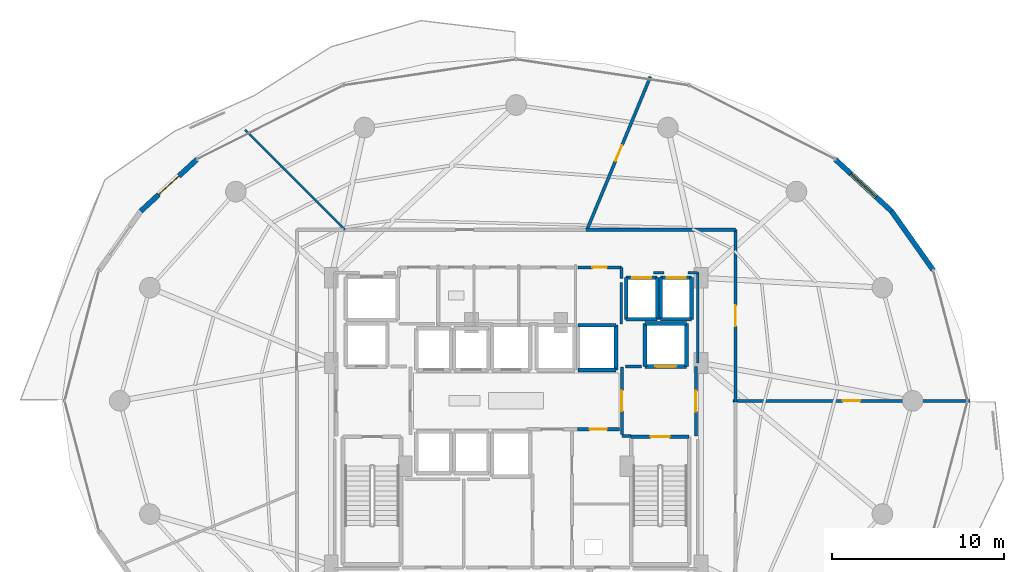
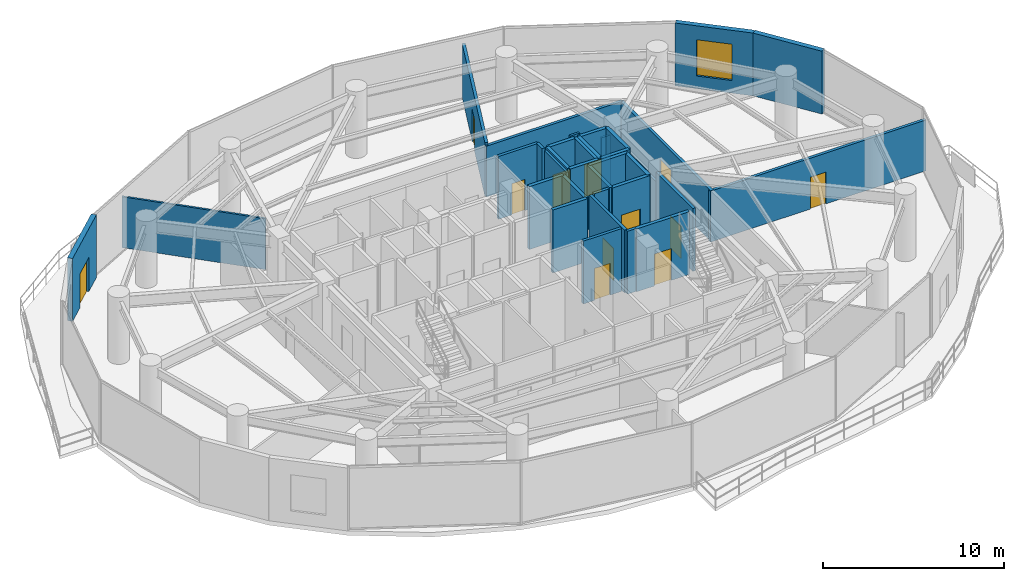
# One storey, part 22 of 27: 35 walls, 12 doors, 1 window, 13 openings.
"""IFC4 building model written with IfcOpenShell, lengths in metres."""

from ifc_helpers import new_model, si_unit, direction, frame, frame_2d, origin, place, context, subcontext, project, spatial, rectangle, extrude, material, layer, layer_set, type_object, element, fill, save


model = new_model("IFC4")

# Units and contexts
model_context = context("Model", 3, precision=1e-05, world=origin(), true_north=direction((0.0, 1.0)))
body_context = subcontext(model_context, "Body", "Model", "MODEL_VIEW")
ifc_project = project(units=[si_unit("LENGTHUNIT", "METRE"), si_unit("AREAUNIT", "SQUARE_METRE"), si_unit("VOLUMEUNIT", "CUBIC_METRE"), si_unit("PLANEANGLEUNIT", "RADIAN"), si_unit("MASSUNIT", "GRAM", prefix="KILO")], contexts=[model_context])

# Site, building, storey
site_placement = place(None, origin())
site = spatial("IfcSite", under=ifc_project, at=site_placement, CompositionType="ELEMENT")
building_placement = place(site_placement, origin())
building = spatial("IfcBuilding", under=site, at=building_placement, Name="Vorneva Point Tower", CompositionType="ELEMENT")
storey_placement = place(building_placement, frame((0.0, 0.0, 74.300048828125)))
storey = spatial("IfcBuildingStorey", under=building, at=storey_placement, Name="L19", CompositionType="ELEMENT", Elevation=74.300048828125)

# Wall, opening, door
ifc_material_1 = material(Name="Concrete B60 (C50/60)", Category="concrete")
ifc_layer_1 = layer(ifc_material_1, 0.5)
ifc_layer_set_1 = layer_set([ifc_layer_1], Name="Concrete B60 (C50/60)")
wall_type_1 = type_object("IfcWallType", Name="WL-CORE-500", PredefinedType="SHEAR", material=ifc_layer_set_1)
wall_1_placement = place(storey_placement, frame((45.5, 28.0, 0.0), z_axis=(0.0, 0.0, 1.0), x_axis=(1.0, 0.0, 0.0)))
wall_1 = element("IfcWall", 1, at=wall_1_placement, inside=storey, type_object=wall_type_1, Name="L19 Lift FFL2 Shaft Wall -Y", PredefinedType="SHEAR", context=body_context, shape_type="SweptSolid", body=[
    extrude(rectangle(XDim=2.39990234375, YDim=0.219970703125, at=frame_2d((1.199951171875, 0.0))), origin(), (0.0, 0.0, 1.0), 4.239990234375),
])
opening_1_placement = place(wall_1_placement, frame((0.60009765625, 0.0, 0.0)))
opening_1 = element("IfcOpeningElement", 2, at=opening_1_placement, cuts=wall_1, Name="Opening LD-02", PredefinedType="OPENING", context=body_context, shape_type="SweptSolid", body=[
    extrude(rectangle(XDim=1.199951171875, YDim=2.199951171875, at=frame_2d((0.60009765625, 1.10009765625))), frame((0.0, 0.125, 0.0), z_axis=(0.0, -1.0, 0.0), x_axis=(1.0, 0.0, 0.0)), (0.0, 0.0, 1.0), 0.249755859375),
])
ifc_material_2 = material(Name="Brushed stainless steel S304", Category="steel")
door_type_1 = type_object("IfcDoorType", Name="LD-FIRE-1200", OperationType="SLIDING_TO_LEFT", PredefinedType="DOOR", material=ifc_material_2)
door_1_placement = place(opening_1_placement, origin())
door_1 = element("IfcDoor", 3, at=door_1_placement, inside=storey, type_object=door_type_1, Name="L19 Lift FFL2 Sliding Landing Door", OperationType="SLIDING_TO_LEFT", OverallHeight=2.199951171875, OverallWidth=1.199951171875, PredefinedType="DOOR", context=body_context, shape_type="SweptSolid", body=[
    extrude(rectangle(XDim=1.199951171875, YDim=2.199951171875, at=frame_2d((0.60009765625, 1.10009765625))), frame((0.0, 0.02490234375, 0.0), z_axis=(0.0, -1.0, 0.0), x_axis=(1.0, 0.0, 0.0)), (0.0, 0.0, 1.0), 0.050048828125),
])
fill(opening_1, door_1)

# Walls
wall_2_placement = place(storey_placement, frame((47.89990234375, 28.0, 0.0), z_axis=(0.0, 0.0, 1.0), x_axis=(0.0, 1.0, 0.0)))
element("IfcWall", 4, at=wall_2_placement, inside=storey, type_object=wall_type_1, Name="L19 Lift FFL2 Shaft Wall +X", PredefinedType="SHEAR", context=body_context, shape_type="SweptSolid", body=[
    extrude(rectangle(XDim=2.5, YDim=0.219970703125, at=frame_2d((1.25, 0.0))), origin(), (0.0, 0.0, 1.0), 4.239990234375),
])
wall_3_placement = place(storey_placement, frame((47.89990234375, 30.5, 0.0), z_axis=(0.0, 0.0, 1.0), x_axis=(-1.0, 0.0, 0.0)))
element("IfcWall", 5, at=wall_3_placement, inside=storey, type_object=wall_type_1, Name="L19 Lift FFL2 Shaft Wall +Y", PredefinedType="SHEAR", context=body_context, shape_type="SweptSolid", body=[
    extrude(rectangle(XDim=2.39990234375, YDim=0.219970703125, at=frame_2d((1.199951171875, 0.0))), origin(), (0.0, 0.0, 1.0), 4.239990234375),
])
wall_4_placement = place(storey_placement, frame((45.5, 30.5, 0.0), z_axis=(0.0, 0.0, 1.0), x_axis=(0.0, -1.0, 0.0)))
element("IfcWall", 6, at=wall_4_placement, inside=storey, type_object=wall_type_1, Name="L19 Lift FFL2 Shaft Wall -X", PredefinedType="SHEAR", context=body_context, shape_type="SweptSolid", body=[
    extrude(rectangle(XDim=2.5, YDim=0.219970703125, at=frame_2d((1.25, 0.0))), origin(), (0.0, 0.0, 1.0), 4.239990234375),
])
ifc_material_3 = material(Name="Precast concrete B50 (C40/50)", Category="concrete")
ifc_layer_2 = layer(ifc_material_3, 0.300048828125)
ifc_layer_set_2 = layer_set([ifc_layer_2], Name="Precast concrete B50 (C40/50)")
wall_type_2 = type_object("IfcWallType", Name="WL-EXT-300", PredefinedType="STANDARD", material=ifc_layer_set_2)
wall_5_placement = place(storey_placement, frame((62.251708984375, 33.59619140625, 0.0), z_axis=(0.0, 0.0, 1.0), x_axis=(-0.57716435238, 0.81662801222, 0.0)))
element("IfcWall", 7, at=wall_5_placement, inside=storey, type_object=wall_type_2, Name="L19 Pale-Metal Facade Spandrel Wall 02.1", PredefinedType="STANDARD", context=body_context, shape_type="SweptSolid", body=[
    extrude(rectangle(XDim=4.202392578125, YDim=0.300048828125, at=frame_2d((2.10107421875, 0.0))), origin(), (0.0, 0.0, 1.0), 4.239990234375),
])

# Wall, opening, window
wall_6_placement = place(storey_placement, frame((59.826171875, 37.028076171875, 0.0), z_axis=(0.0, 0.0, 1.0), x_axis=(-0.735416718093, 0.677615119924, 0.0)))
wall_6 = element("IfcWall", 8, at=wall_6_placement, inside=storey, type_object=wall_type_2, Name="L19 Pale-Metal Facade Spandrel Wall 02.2", PredefinedType="STANDARD", context=body_context, shape_type="SweptSolid", body=[
    extrude(rectangle(XDim=4.439208984375, YDim=0.300048828125, at=frame_2d((2.2197265625, 0.0))), origin(), (0.0, 0.0, 1.0), 4.239990234375),
])
opening_2_placement = place(wall_6_placement, frame((1.219482421875, 0.0, 0.85009765625)))
opening_2 = element("IfcOpeningElement", 9, at=opening_2_placement, cuts=wall_6, Name="Opening W-07", PredefinedType="OPENING", context=body_context, shape_type="SweptSolid", body=[
    extrude(rectangle(XDim=2.0, YDim=2.449951171875, at=frame_2d((1.0, 1.22509765625))), frame((0.0, 0.1650390625, 0.0), z_axis=(0.0, -1.0, 0.0), x_axis=(1.0, 0.0, 0.0)), (0.0, 0.0, 1.0), 0.329833984375),
])
ifc_material_4 = material(Name="Double low-e laminated glass IGU", Category="glass")
window_type = type_object("IfcWindowType", Name="WN-SKY-2000", PartitioningType="SINGLE_PANEL", PredefinedType="WINDOW", material=ifc_material_4)
window_placement = place(opening_2_placement, origin())
window = element("IfcWindow", 10, at=window_placement, inside=storey, type_object=window_type, Name="L19 Facade Window 02", OverallHeight=2.449951171875, OverallWidth=2.0, PartitioningType="SINGLE_PANEL", PredefinedType="WINDOW", context=body_context, shape_type="SweptSolid", body=[
    extrude(rectangle(XDim=2.0, YDim=2.449951171875, at=frame_2d((1.0, 1.22509765625))), frame((0.0, 0.030029296875, 0.0), z_axis=(0.0, -1.0, 0.0), x_axis=(1.0, 0.0, 0.0)), (0.0, 0.0, 1.0), 0.06005859375),
])
fill(opening_2, window)

# Wall, opening, door
wall_7_placement = place(storey_placement, frame((19.4384765625, 40.0361328125, 0.0), z_axis=(0.0, 0.0, 1.0), x_axis=(-0.735416718093, -0.677615119924, 0.0)))
wall_7 = element("IfcWall", 11, at=wall_7_placement, inside=storey, type_object=wall_type_2, Name="L19 Pale-Metal Facade Spandrel Wall 07.1", PredefinedType="STANDARD", context=body_context, shape_type="SweptSolid", body=[
    extrude(rectangle(XDim=4.439208984375, YDim=0.300048828125, at=frame_2d((2.2197265625, 0.0))), origin(), (0.0, 0.0, 1.0), 4.239990234375),
])
opening_3_placement = place(wall_7_placement, frame((1.41943359375, 0.0, 0.0)))
opening_3 = element("IfcOpeningElement", 12, at=opening_3_placement, cuts=wall_7, Name="Opening BD-01", PredefinedType="OPENING", context=body_context, shape_type="SweptSolid", body=[
    extrude(rectangle(XDim=1.60009765625, YDim=2.300048828125, at=frame_2d((0.800048828125, 1.14990234375))), frame((0.0, 0.1650390625, 0.0), z_axis=(0.0, -1.0, 0.0), x_axis=(1.0, 0.0, 0.0)), (0.0, 0.0, 1.0), 0.329833984375),
])
ifc_material_5 = material(Name="Pale anodised aluminium", Category="aluminium")
door_type_2 = type_object("IfcDoorType", Name="DR-BAL-1600", OperationType="SLIDING_TO_LEFT", PredefinedType="DOOR", material=ifc_material_5)
door_2_placement = place(opening_3_placement, origin())
door_2 = element("IfcDoor", 13, at=door_2_placement, inside=storey, type_object=door_type_2, Name="L19 Balcony Terrace Access Door 07", OperationType="SLIDING_TO_LEFT", OverallHeight=2.300048828125, OverallWidth=1.60009765625, PredefinedType="DOOR", context=body_context, shape_type="SweptSolid", body=[
    extrude(rectangle(XDim=1.60009765625, YDim=2.300048828125, at=frame_2d((0.800048828125, 1.14990234375))), frame((0.0, 0.02490234375, 0.0), z_axis=(0.0, -1.0, 0.0), x_axis=(1.0, 0.0, 0.0)), (0.0, 0.0, 1.0), 0.050048828125),
])
fill(opening_3, door_2)

# Walls
ifc_material_6 = material(Name="Fire-rated acoustic gypsum stud partition", Category="gypsum")
ifc_layer_3 = layer(ifc_material_6, 0.125)
ifc_layer_set_3 = layer_set([ifc_layer_3], Name="Fire-rated acoustic gypsum stud partition")
wall_type_3 = type_object("IfcWallType", Name="WL-PART-125", PredefinedType="PARTITIONING", material=ifc_layer_set_3)
wall_8_placement = place(storey_placement, frame((22.23193359375, 41.76806640625, 0.0), z_axis=(0.0, 0.0, 1.0), x_axis=(0.707106781187, -0.707106781187, 0.0)))
element("IfcWall", 14, at=wall_8_placement, inside=storey, type_object=wall_type_3, Name="L19 Interior Partition 043", PredefinedType="PARTITIONING", context=body_context, shape_type="SweptSolid", body=[
    extrude(rectangle(XDim=8.22802734375, YDim=0.125, at=frame_2d((4.114013671875, 0.0))), origin(), (0.0, 0.0, 1.0), 3.431884765625),
])
ifc_layer_4 = layer(ifc_material_6, 0.139892578125)
ifc_layer_set_4 = layer_set([ifc_layer_4], Name="Fire-rated acoustic gypsum stud partition")
wall_type_4 = type_object("IfcWallType", Name="WL-PART-140", PredefinedType="PARTITIONING", material=ifc_layer_set_4)
wall_9_placement = place(storey_placement, frame((44.1201171875, 30.47998046875, 0.0), z_axis=(0.0, 0.0, 1.0), x_axis=(0.0, 1.0, 0.0)))
element("IfcWall", 15, at=wall_9_placement, inside=storey, type_object=wall_type_4, Name="L19 Interior Closure Partition 053", PredefinedType="PARTITIONING", context=body_context, shape_type="SweptSolid", body=[
    extrude(rectangle(XDim=2.409912109375, YDim=0.139892578125, at=frame_2d((1.205078125, 0.0))), origin(), (0.0, 0.0, 1.0), 4.239990234375),
])
wall_10_placement = place(storey_placement, frame((45.990966796875, 33.449951171875, 0.0), z_axis=(0.0, 0.0, 1.0), x_axis=(1.0, 0.0, 0.0)))
element("IfcWall", 16, at=wall_10_placement, inside=storey, type_object=wall_type_4, Name="L19 Interior Closure Partition 056", PredefinedType="PARTITIONING", context=body_context, shape_type="SweptSolid", body=[
    extrude(rectangle(XDim=0.617919921875, YDim=0.139892578125, at=frame_2d((0.30908203125, 0.0))), origin(), (0.0, 0.0, 1.0), 4.239990234375),
])
wall_11_placement = place(storey_placement, frame((47.990966796875, 33.449951171875, 0.0), z_axis=(0.0, 0.0, 1.0), x_axis=(1.0, 0.0, 0.0)))
element("IfcWall", 17, at=wall_11_placement, inside=storey, type_object=wall_type_4, Name="L19 Interior Closure Partition 057", PredefinedType="PARTITIONING", context=body_context, shape_type="SweptSolid", body=[
    extrude(rectangle(XDim=0.55908203125, YDim=0.139892578125, at=frame_2d((0.279541015625, 0.0))), origin(), (0.0, 0.0, 1.0), 3.431884765625),
])
wall_12_placement = place(storey_placement, frame((48.550048828125, 33.449951171875, 0.0), z_axis=(0.0, 0.0, 1.0), x_axis=(0.0, -1.0, 0.0)))
element("IfcWall", 18, at=wall_12_placement, inside=storey, type_object=wall_type_4, Name="L19 Interior Closure Partition 058", PredefinedType="PARTITIONING", context=body_context, shape_type="SweptSolid", body=[
    extrude(rectangle(XDim=5.25390625, YDim=0.139892578125, at=frame_2d((2.626953125, 0.0))), origin(), (0.0, 0.0, 1.0), 3.431884765625),
])

# Wall, opening, door
ifc_material_7 = material(Name="Autoclaved aerated concrete blockwork", Category="masonry")
ifc_layer_5 = layer(ifc_material_7, 0.179931640625)
ifc_layer_set_5 = layer_set([ifc_layer_5], Name="Autoclaved aerated concrete blockwork")
wall_type_5 = type_object("IfcWallType", Name="WL-PART-180", PredefinedType="PARTITIONING", material=ifc_layer_set_5)
wall_13_placement = place(storey_placement, frame((44.14990234375, 27.955078125, 0.0), z_axis=(0.0, 0.0, 1.0), x_axis=(0.0, -1.0, 0.0)))
wall_13 = element("IfcWall", 19, at=wall_13_placement, inside=storey, type_object=wall_type_5, Name="L19 Interior Partition 003", PredefinedType="PARTITIONING", context=body_context, shape_type="SweptSolid", body=[
    extrude(rectangle(XDim=3.91015625, YDim=0.179931640625, at=frame_2d((1.955078125, 0.0))), origin(), (0.0, 0.0, 1.0), 4.239990234375),
])
opening_4_placement = place(wall_13_placement, frame((1.35498046875, 0.0, 0.0)))
opening_4 = element("IfcOpeningElement", 20, at=opening_4_placement, cuts=wall_13, Name="Opening FD-02", PredefinedType="OPENING", context=body_context, shape_type="SweptSolid", body=[
    extrude(rectangle(XDim=1.199951171875, YDim=2.14990234375, at=frame_2d((0.60009765625, 1.074951171875))), frame((0.0, 0.10498046875, 0.0), z_axis=(0.0, -1.0, 0.0), x_axis=(1.0, 0.0, 0.0)), (0.0, 0.0, 1.0), 0.209716796875),
])
ifc_material_8 = material(Name="Fire-rated powder-coated steel", Category="steel")
door_type_3 = type_object("IfcDoorType", Name="DR-FFL-1200", OperationType="NOTDEFINED", PredefinedType="DOOR", material=ifc_material_8)
door_3_placement = place(opening_4_placement, origin())
door_3 = element("IfcDoor", 21, at=door_3_placement, inside=storey, type_object=door_type_3, Name="L19 Door East Firefighting Lobby / Central Lift Lobby", OperationType="SINGLE_SWING_LEFT", OverallHeight=2.14990234375, OverallWidth=1.199951171875, PredefinedType="DOOR", context=body_context, shape_type="SweptSolid", body=[
    extrude(rectangle(XDim=1.199951171875, YDim=2.14990234375, at=frame_2d((0.60009765625, 1.074951171875))), frame((0.0, 0.02490234375, 0.0), z_axis=(0.0, -1.0, 0.0), x_axis=(1.0, 0.0, 0.0)), (0.0, 0.0, 1.0), 0.050048828125),
])
fill(opening_4, door_3)

# Wall
wall_14_placement = place(storey_placement, frame((44.14990234375, 23.949951171875, 0.0), z_axis=(0.0, 0.0, 1.0), x_axis=(1.0, 0.0, 0.0)))
element("IfcWall", 22, at=wall_14_placement, inside=storey, type_object=wall_type_5, Name="L19 Interior Partition 004", PredefinedType="PARTITIONING", context=body_context, shape_type="SweptSolid", body=[
    extrude(rectangle(XDim=0.5400390625, YDim=0.179931640625, at=frame_2d((0.27001953125, 0.0))), origin(), (0.0, 0.0, 1.0), 4.239990234375),
])

# Wall, opening, door
wall_15_placement = place(storey_placement, frame((48.449951171875, 23.949951171875, 0.0), z_axis=(0.0, 0.0, 1.0), x_axis=(0.0, 1.0, 0.0)))
wall_15 = element("IfcWall", 23, at=wall_15_placement, inside=storey, type_object=wall_type_5, Name="L19 Interior Partition 005", PredefinedType="PARTITIONING", context=body_context, shape_type="SweptSolid", body=[
    extrude(rectangle(XDim=4.050048828125, YDim=0.179931640625, at=frame_2d((2.02490234375, 0.0))), origin(), (0.0, 0.0, 1.0), 4.239990234375),
])
opening_5_placement = place(wall_15_placement, frame((1.425048828125, 0.0, 0.0)))
opening_5 = element("IfcOpeningElement", 24, at=opening_5_placement, cuts=wall_15, Name="Opening FD-02", PredefinedType="OPENING", context=body_context, shape_type="SweptSolid", body=[
    extrude(rectangle(XDim=1.199951171875, YDim=2.14990234375, at=frame_2d((0.60009765625, 1.074951171875))), frame((0.0, 0.10498046875, 0.0), z_axis=(0.0, -1.0, 0.0), x_axis=(1.0, 0.0, 0.0)), (0.0, 0.0, 1.0), 0.209716796875),
])
door_4_placement = place(opening_5_placement, origin())
door_4 = element("IfcDoor", 25, at=door_4_placement, inside=storey, type_object=door_type_3, Name="L19 Door East Firefighting Lobby / L19 Circulation Corridor", OperationType="SINGLE_SWING_LEFT", OverallHeight=2.14990234375, OverallWidth=1.199951171875, PredefinedType="DOOR", context=body_context, shape_type="SweptSolid", body=[
    extrude(rectangle(XDim=1.199951171875, YDim=2.14990234375, at=frame_2d((0.60009765625, 1.074951171875))), frame((0.0, 0.02490234375, 0.0), z_axis=(0.0, -1.0, 0.0), x_axis=(1.0, 0.0, 0.0)), (0.0, 0.0, 1.0), 0.050048828125),
])
fill(opening_5, door_4)

wall_16_placement = place(storey_placement, frame((41.554931640625, 24.35009765625, 0.0), z_axis=(0.0, 0.0, 1.0), x_axis=(1.0, 0.0, 0.0)))
wall_16 = element("IfcWall", 26, at=wall_16_placement, inside=storey, type_object=wall_type_5, Name="L19 Interior Partition 010", PredefinedType="PARTITIONING", context=body_context, shape_type="SweptSolid", body=[
    extrude(rectangle(XDim=2.445068359375, YDim=0.179931640625, at=frame_2d((1.22265625, 0.0))), origin(), (0.0, 0.0, 1.0), 4.239990234375),
])
opening_6_placement = place(wall_16_placement, frame((0.722412109375, 0.0, 0.0)))
opening_6 = element("IfcOpeningElement", 27, at=opening_6_placement, cuts=wall_16, Name="Opening UD-01", PredefinedType="OPENING", context=body_context, shape_type="SweptSolid", body=[
    extrude(rectangle(XDim=1.0, YDim=2.14990234375, at=frame_2d((0.5, 1.074951171875))), frame((0.0, 0.10498046875, 0.0), z_axis=(0.0, -1.0, 0.0), x_axis=(1.0, 0.0, 0.0)), (0.0, 0.0, 1.0), 0.209716796875),
])
ifc_material_9 = material(Name="Engineered oak fire-rated door leaf", Category="wood")
door_type_4 = type_object("IfcDoorType", Name="DR-UNIT-1000", OperationType="NOTDEFINED", PredefinedType="DOOR", material=ifc_material_9)
door_5_placement = place(opening_6_placement, origin())
door_5 = element("IfcDoor", 28, at=door_5_placement, inside=storey, type_object=door_type_4, Name="L19 Door Central Lift Lobby / Floor Management Office", OperationType="SINGLE_SWING_LEFT", OverallHeight=2.14990234375, OverallWidth=1.0, PredefinedType="DOOR", context=body_context, shape_type="SweptSolid", body=[
    extrude(rectangle(XDim=1.0, YDim=2.14990234375, at=frame_2d((0.5, 1.074951171875))), frame((0.0, 0.02490234375, 0.0), z_axis=(0.0, -1.0, 0.0), x_axis=(1.0, 0.0, 0.0)), (0.0, 0.0, 1.0), 0.050048828125),
])
fill(opening_6, door_5)

wall_17_placement = place(storey_placement, frame((44.1201171875, 33.760009765625, 0.0), z_axis=(0.0, 0.0, 1.0), x_axis=(-1.0, 0.0, 0.0)))
wall_17 = element("IfcWall", 29, at=wall_17_placement, inside=storey, type_object=wall_type_5, Name="L19 Interior Partition 023", PredefinedType="PARTITIONING", context=body_context, shape_type="SweptSolid", body=[
    extrude(rectangle(XDim=2.530029296875, YDim=0.179931640625, at=frame_2d((1.26513671875, 0.0))), origin(), (0.0, 0.0, 1.0), 4.239990234375),
])
opening_7_placement = place(wall_17_placement, frame((0.840087890625, 0.0, 0.0)))
opening_7 = element("IfcOpeningElement", 30, at=opening_7_placement, cuts=wall_17, Name="Opening ID-02", PredefinedType="OPENING", context=body_context, shape_type="SweptSolid", body=[
    extrude(rectangle(XDim=0.85009765625, YDim=2.10009765625, at=frame_2d((0.425048828125, 1.050048828125))), frame((0.0, 0.10498046875, 0.0), z_axis=(0.0, -1.0, 0.0), x_axis=(1.0, 0.0, 0.0)), (0.0, 0.0, 1.0), 0.209716796875),
])
door_type_5 = type_object("IfcDoorType", Name="DR-BATH-850", OperationType="NOTDEFINED", PredefinedType="DOOR", material=ifc_material_9)
door_6_placement = place(opening_7_placement, origin())
door_6 = element("IfcDoor", 31, at=door_6_placement, inside=storey, type_object=door_type_5, Name="L19 Door Cleaners Store / L19 Circulation Corridor", OperationType="SINGLE_SWING_RIGHT", OverallHeight=2.10009765625, OverallWidth=0.85009765625, PredefinedType="DOOR", context=body_context, shape_type="SweptSolid", body=[
    extrude(rectangle(XDim=0.85009765625, YDim=2.10009765625, at=frame_2d((0.425048828125, 1.050048828125))), frame((0.0, 0.02490234375, 0.0), z_axis=(0.0, -1.0, 0.0), x_axis=(1.0, 0.0, 0.0)), (0.0, 0.0, 1.0), 0.050048828125),
])
fill(opening_7, door_6)

# Wall
wall_18_placement = place(storey_placement, frame((44.1201171875, 33.110107421875, 0.0), z_axis=(0.0, 0.0, 1.0), x_axis=(0.0, 1.0, 0.0)))
element("IfcWall", 32, at=wall_18_placement, inside=storey, type_object=wall_type_5, Name="L19 Interior Partition 024", PredefinedType="PARTITIONING", context=body_context, shape_type="SweptSolid", body=[
    extrude(rectangle(XDim=0.64990234375, YDim=0.179931640625, at=frame_2d((0.324951171875, 0.0))), origin(), (0.0, 0.0, 1.0), 4.239990234375),
])

# Wall, opening, door
wall_19_placement = place(storey_placement, frame((50.75, 25.93994140625, 0.0), z_axis=(0.0, 0.0, 1.0), x_axis=(0.0, 1.0, 0.0)))
wall_19 = element("IfcWall", 33, at=wall_19_placement, inside=storey, type_object=wall_type_5, Name="L19 Interior Partition 028", PredefinedType="PARTITIONING", context=body_context, shape_type="SweptSolid", body=[
    extrude(rectangle(XDim=10.010009765625, YDim=0.179931640625, at=frame_2d((5.0048828125, 0.0))), origin(), (0.0, 0.0, 1.0), 3.431884765625),
])
opening_8_placement = place(wall_19_placement, frame((4.405029296875, 0.0, 0.0)))
opening_8 = element("IfcOpeningElement", 34, at=opening_8_placement, cuts=wall_19, Name="Opening FD-02", PredefinedType="OPENING", context=body_context, shape_type="SweptSolid", body=[
    extrude(rectangle(XDim=1.199951171875, YDim=2.14990234375, at=frame_2d((0.60009765625, 1.074951171875))), frame((0.0, 0.10498046875, 0.0), z_axis=(0.0, -1.0, 0.0), x_axis=(1.0, 0.0, 0.0)), (0.0, 0.0, 1.0), 0.209716796875),
])
door_7_placement = place(opening_8_placement, origin())
door_7 = element("IfcDoor", 35, at=door_7_placement, inside=storey, type_object=door_type_3, Name="L19 Door L19 Circulation Corridor / Transfer Sky Lobby L19", OperationType="SINGLE_SWING_LEFT", OverallHeight=2.14990234375, OverallWidth=1.199951171875, PredefinedType="DOOR", context=body_context, shape_type="SweptSolid", body=[
    extrude(rectangle(XDim=1.199951171875, YDim=2.14990234375, at=frame_2d((0.60009765625, 1.074951171875))), frame((0.0, 0.02490234375, 0.0), z_axis=(0.0, -1.0, 0.0), x_axis=(1.0, 0.0, 0.0)), (0.0, 0.0, 1.0), 0.050048828125),
])
fill(opening_8, door_7)

# Wall
wall_20_placement = place(storey_placement, frame((50.75, 35.949951171875, 0.0), z_axis=(0.0, 0.0, 1.0), x_axis=(-1.0, 0.0, 0.0)))
element("IfcWall", 36, at=wall_20_placement, inside=storey, type_object=wall_type_5, Name="L19 Interior Partition 029", PredefinedType="PARTITIONING", context=body_context, shape_type="SweptSolid", body=[
    extrude(rectangle(XDim=8.68896484375, YDim=0.179931640625, at=frame_2d((4.344482421875, 0.0))), origin(), (0.0, 0.0, 1.0), 3.431884765625),
])

# Wall, opening, door
wall_21_placement = place(storey_placement, frame((45.80810546875, 44.85107421875, 0.0), z_axis=(0.0, 0.0, 1.0), x_axis=(-0.382687492799, -0.923877850614, 0.0)))
wall_21 = element("IfcWall", 37, at=wall_21_placement, inside=storey, type_object=wall_type_5, Name="L19 Interior Partition 041", PredefinedType="PARTITIONING", context=body_context, shape_type="SweptSolid", body=[
    extrude(rectangle(XDim=9.634521484375, YDim=0.179931640625, at=frame_2d((4.8173828125, 0.0))), origin(), (0.0, 0.0, 1.0), 3.6240234375),
])
opening_9_placement = place(wall_21_placement, frame((4.317138671875, 0.0, 0.0)))
opening_9 = element("IfcOpeningElement", 38, at=opening_9_placement, cuts=wall_21, Name="Opening UD-01", PredefinedType="OPENING", context=body_context, shape_type="SweptSolid", body=[
    extrude(rectangle(XDim=1.0, YDim=2.14990234375, at=frame_2d((0.5, 1.074951171875))), frame((0.0, 0.10498046875, 0.0), z_axis=(0.0, -1.0, 0.0), x_axis=(1.0, 0.0, 0.0)), (0.0, 0.0, 1.0), 0.209716796875),
])
door_8_placement = place(opening_9_placement, origin())
door_8 = element("IfcDoor", 39, at=door_8_placement, inside=storey, type_object=door_type_4, Name="L19 Door Transfer Sky Lobby L19 / Sky Lounge L19", OperationType="SINGLE_SWING_LEFT", OverallHeight=2.14990234375, OverallWidth=1.0, PredefinedType="DOOR", context=body_context, shape_type="SweptSolid", body=[
    extrude(rectangle(XDim=1.0, YDim=2.14990234375, at=frame_2d((0.5, 1.074951171875))), frame((0.0, 0.02490234375, 0.0), z_axis=(0.0, -1.0, 0.0), x_axis=(1.0, 0.0, 0.0)), (0.0, 0.0, 1.0), 0.050048828125),
])
fill(opening_9, door_8)

wall_22_placement = place(storey_placement, frame((50.610107421875, 26.0, 0.0), z_axis=(0.0, 0.0, 1.0), x_axis=(1.0, 0.0, 0.0)))
wall_22 = element("IfcWall", 40, at=wall_22_placement, inside=storey, type_object=wall_type_5, Name="L19 Interior Partition 042", PredefinedType="PARTITIONING", context=body_context, shape_type="SweptSolid", body=[
    extrude(rectangle(XDim=13.77880859375, YDim=0.179931640625, at=frame_2d((6.889404296875, 0.0))), origin(), (0.0, 0.0, 1.0), 3.431884765625),
])
opening_10_placement = place(wall_22_placement, frame((6.389404296875, 0.0, 0.0)))
opening_10 = element("IfcOpeningElement", 41, at=opening_10_placement, cuts=wall_22, Name="Opening UD-01", PredefinedType="OPENING", context=body_context, shape_type="SweptSolid", body=[
    extrude(rectangle(XDim=1.0, YDim=2.14990234375, at=frame_2d((0.5, 1.074951171875))), frame((0.0, 0.10498046875, 0.0), z_axis=(0.0, -1.0, 0.0), x_axis=(1.0, 0.0, 0.0)), (0.0, 0.0, 1.0), 0.209716796875),
])
door_9_placement = place(opening_10_placement, origin())
door_9 = element("IfcDoor", 42, at=door_9_placement, inside=storey, type_object=door_type_4, Name="L19 Door Transfer Sky Lobby L19 / Concierge Pantry L19", OperationType="SINGLE_SWING_RIGHT", OverallHeight=2.14990234375, OverallWidth=1.0, PredefinedType="DOOR", context=body_context, shape_type="SweptSolid", body=[
    extrude(rectangle(XDim=1.0, YDim=2.14990234375, at=frame_2d((0.5, 1.074951171875))), frame((0.0, 0.02490234375, 0.0), z_axis=(0.0, -1.0, 0.0), x_axis=(1.0, 0.0, 0.0)), (0.0, 0.0, 1.0), 0.050048828125),
])
fill(opening_10, door_9)

# Wall
wall_23_placement = place(storey_placement, frame((45.280029296875, 28.0, 0.0), z_axis=(0.0, 0.0, 1.0), x_axis=(-1.0, 0.0, 0.0)))
element("IfcWall", 43, at=wall_23_placement, inside=storey, type_object=wall_type_5, Name="L19 Interior Closure Partition 048", PredefinedType="PARTITIONING", context=body_context, shape_type="SweptSolid", body=[
    extrude(rectangle(XDim=0.9150390625, YDim=0.179931640625, at=frame_2d((0.45751953125, 0.0))), origin(), (0.0, 0.0, 1.0), 4.239990234375),
])

# Wall, opening, door
ifc_material_10 = material(Name="Concrete B50 (C40/50)", Category="concrete")
ifc_layer_6 = layer(ifc_material_10, 0.219970703125)
ifc_layer_set_6 = layer_set([ifc_layer_6], Name="Concrete B50 (C40/50)")
wall_type_6 = type_object("IfcWallType", Name="WL-SHFT-220", PredefinedType="SOLIDWALL", material=ifc_layer_set_6)
wall_24_placement = place(storey_placement, frame((44.68994140625, 23.909912109375, 0.0), z_axis=(0.0, 0.0, 1.0), x_axis=(1.0, 0.0, 0.0)))
wall_24 = element("IfcWall", 44, at=wall_24_placement, inside=storey, type_object=wall_type_6, Name="L19 Exit Stair ST2 Shaft Wall near", PredefinedType="SOLIDWALL", context=body_context, shape_type="SweptSolid", body=[
    extrude(rectangle(XDim=3.3701171875, YDim=0.219970703125, at=frame_2d((1.68505859375, 0.0))), origin(), (0.0, 0.0, 1.0), 4.239990234375),
])
opening_11_placement = place(wall_24_placement, frame((1.135009765625, 0.0, 0.0)))
opening_11 = element("IfcOpeningElement", 45, at=opening_11_placement, cuts=wall_24, Name="Opening FD-01", PredefinedType="OPENING", context=body_context, shape_type="SweptSolid", body=[
    extrude(rectangle(XDim=1.10009765625, YDim=2.14990234375, at=frame_2d((0.550048828125, 1.074951171875))), frame((0.0, 0.125, 0.0), z_axis=(0.0, -1.0, 0.0), x_axis=(1.0, 0.0, 0.0)), (0.0, 0.0, 1.0), 0.249755859375),
])
door_type_6 = type_object("IfcDoorType", Name="DR-STAIR-1100", OperationType="NOTDEFINED", PredefinedType="DOOR", material=ifc_material_8)
door_10_placement = place(opening_11_placement, origin())
door_10 = element("IfcDoor", 46, at=door_10_placement, inside=storey, type_object=door_type_6, Name="L19 Exit Stair ST2 Fire Door", OperationType="SINGLE_SWING_RIGHT", OverallHeight=2.14990234375, OverallWidth=1.10009765625, PredefinedType="DOOR", context=body_context, shape_type="SweptSolid", body=[
    extrude(rectangle(XDim=1.10009765625, YDim=2.14990234375, at=frame_2d((0.550048828125, 1.074951171875))), frame((0.0, 0.02490234375, 0.0), z_axis=(0.0, -1.0, 0.0), x_axis=(1.0, 0.0, 0.0)), (0.0, 0.0, 1.0), 0.050048828125),
])
fill(opening_11, door_10)

# Walls
wall_25_placement = place(storey_placement, frame((41.60009765625, 27.800048828125, 0.0), z_axis=(0.0, 0.0, 1.0), x_axis=(1.0, 0.0, 0.0)))
element("IfcWall", 47, at=wall_25_placement, inside=storey, type_object=wall_type_6, Name="L19 Lift PL8 Shaft Wall -Y", PredefinedType="SOLIDWALL", context=body_context, shape_type="SweptSolid", body=[
    extrude(rectangle(XDim=2.199951171875, YDim=0.219970703125, at=frame_2d((1.10009765625, 0.0))), origin(), (0.0, 0.0, 1.0), 4.239990234375),
])
wall_26_placement = place(storey_placement, frame((43.800048828125, 27.800048828125, 0.0), z_axis=(0.0, 0.0, 1.0), x_axis=(0.0, 1.0, 0.0)))
element("IfcWall", 48, at=wall_26_placement, inside=storey, type_object=wall_type_6, Name="L19 Lift PL8 Shaft Wall +X", PredefinedType="SOLIDWALL", context=body_context, shape_type="SweptSolid", body=[
    extrude(rectangle(XDim=2.599853515625, YDim=0.219970703125, at=frame_2d((1.2998046875, 0.0))), origin(), (0.0, 0.0, 1.0), 4.239990234375),
])
wall_27_placement = place(storey_placement, frame((43.800048828125, 30.39990234375, 0.0), z_axis=(0.0, 0.0, 1.0), x_axis=(-1.0, 0.0, 0.0)))
element("IfcWall", 49, at=wall_27_placement, inside=storey, type_object=wall_type_6, Name="L19 Lift PL8 Shaft Wall +Y", PredefinedType="SOLIDWALL", context=body_context, shape_type="SweptSolid", body=[
    extrude(rectangle(XDim=2.199951171875, YDim=0.219970703125, at=frame_2d((1.10009765625, 0.0))), origin(), (0.0, 0.0, 1.0), 4.239990234375),
])
wall_28_placement = place(storey_placement, frame((44.39990234375, 30.739990234375, 0.0), z_axis=(0.0, 0.0, 1.0), x_axis=(1.0, 0.0, 0.0)))
element("IfcWall", 50, at=wall_28_placement, inside=storey, type_object=wall_type_6, Name="L19 Lift EX1 Shaft Wall -Y", PredefinedType="SOLIDWALL", context=body_context, shape_type="SweptSolid", body=[
    extrude(rectangle(XDim=1.800048828125, YDim=0.219970703125, at=frame_2d((0.89990234375, 0.0))), origin(), (0.0, 0.0, 1.0), 4.239990234375),
])
wall_29_placement = place(storey_placement, frame((46.199951171875, 30.739990234375, 0.0), z_axis=(0.0, 0.0, 1.0), x_axis=(0.0, 1.0, 0.0)))
element("IfcWall", 51, at=wall_29_placement, inside=storey, type_object=wall_type_6, Name="L19 Lift EX1 Shaft Wall +X", PredefinedType="SOLIDWALL", context=body_context, shape_type="SweptSolid", body=[
    extrude(rectangle(XDim=2.419921875, YDim=0.219970703125, at=frame_2d((1.2099609375, 0.0))), origin(), (0.0, 0.0, 1.0), 4.239990234375),
])

# Wall, opening, door
wall_30_placement = place(storey_placement, frame((46.199951171875, 33.159912109375, 0.0), z_axis=(0.0, 0.0, 1.0), x_axis=(-1.0, 0.0, 0.0)))
wall_30 = element("IfcWall", 52, at=wall_30_placement, inside=storey, type_object=wall_type_6, Name="L19 Lift EX1 Shaft Wall +Y", PredefinedType="SOLIDWALL", context=body_context, shape_type="SweptSolid", body=[
    extrude(rectangle(XDim=1.800048828125, YDim=0.219970703125, at=frame_2d((0.89990234375, 0.0))), origin(), (0.0, 0.0, 1.0), 4.239990234375),
])
opening_12_placement = place(wall_30_placement, frame((0.35009765625, 0.0, 0.0)))
opening_12 = element("IfcOpeningElement", 53, at=opening_12_placement, cuts=wall_30, Name="Opening LD-01", PredefinedType="OPENING", context=body_context, shape_type="SweptSolid", body=[
    extrude(rectangle(XDim=1.10009765625, YDim=2.199951171875, at=frame_2d((0.550048828125, 1.10009765625))), frame((0.0, 0.125, 0.0), z_axis=(0.0, -1.0, 0.0), x_axis=(1.0, 0.0, 0.0)), (0.0, 0.0, 1.0), 0.249755859375),
])
door_type_7 = type_object("IfcDoorType", Name="LD-PASS-1100", OperationType="SLIDING_TO_LEFT", PredefinedType="DOOR", material=ifc_material_2)
door_11_placement = place(opening_12_placement, origin())
door_11 = element("IfcDoor", 54, at=door_11_placement, inside=storey, type_object=door_type_7, Name="L19 Lift EX1 Sliding Landing Door", OperationType="SLIDING_TO_LEFT", OverallHeight=2.199951171875, OverallWidth=1.10009765625, PredefinedType="DOOR", context=body_context, shape_type="SweptSolid", body=[
    extrude(rectangle(XDim=1.10009765625, YDim=2.199951171875, at=frame_2d((0.550048828125, 1.10009765625))), frame((0.0, 0.02490234375, 0.0), z_axis=(0.0, -1.0, 0.0), x_axis=(1.0, 0.0, 0.0)), (0.0, 0.0, 1.0), 0.050048828125),
])
fill(opening_12, door_11)

# Walls
wall_31_placement = place(storey_placement, frame((44.39990234375, 33.159912109375, 0.0), z_axis=(0.0, 0.0, 1.0), x_axis=(0.0, -1.0, 0.0)))
element("IfcWall", 55, at=wall_31_placement, inside=storey, type_object=wall_type_6, Name="L19 Lift EX1 Shaft Wall -X", PredefinedType="SOLIDWALL", context=body_context, shape_type="SweptSolid", body=[
    extrude(rectangle(XDim=2.419921875, YDim=0.219970703125, at=frame_2d((1.2099609375, 0.0))), origin(), (0.0, 0.0, 1.0), 4.239990234375),
])
wall_32_placement = place(storey_placement, frame((46.39990234375, 30.739990234375, 0.0), z_axis=(0.0, 0.0, 1.0), x_axis=(1.0, 0.0, 0.0)))
element("IfcWall", 56, at=wall_32_placement, inside=storey, type_object=wall_type_6, Name="L19 Lift EX2 Shaft Wall -Y", PredefinedType="SOLIDWALL", context=body_context, shape_type="SweptSolid", body=[
    extrude(rectangle(XDim=1.800048828125, YDim=0.219970703125, at=frame_2d((0.89990234375, 0.0))), origin(), (0.0, 0.0, 1.0), 4.239990234375),
])
wall_33_placement = place(storey_placement, frame((48.199951171875, 30.739990234375, 0.0), z_axis=(0.0, 0.0, 1.0), x_axis=(0.0, 1.0, 0.0)))
element("IfcWall", 57, at=wall_33_placement, inside=storey, type_object=wall_type_6, Name="L19 Lift EX2 Shaft Wall +X", PredefinedType="SOLIDWALL", context=body_context, shape_type="SweptSolid", body=[
    extrude(rectangle(XDim=2.419921875, YDim=0.219970703125, at=frame_2d((1.2099609375, 0.0))), origin(), (0.0, 0.0, 1.0), 4.239990234375),
])

# Wall, opening, door
wall_34_placement = place(storey_placement, frame((48.199951171875, 33.159912109375, 0.0), z_axis=(0.0, 0.0, 1.0), x_axis=(-1.0, 0.0, 0.0)))
wall_34 = element("IfcWall", 58, at=wall_34_placement, inside=storey, type_object=wall_type_6, Name="L19 Lift EX2 Shaft Wall +Y", PredefinedType="SOLIDWALL", context=body_context, shape_type="SweptSolid", body=[
    extrude(rectangle(XDim=1.800048828125, YDim=0.219970703125, at=frame_2d((0.89990234375, 0.0))), origin(), (0.0, 0.0, 1.0), 4.239990234375),
])
opening_13_placement = place(wall_34_placement, frame((0.35009765625, 0.0, 0.0)))
opening_13 = element("IfcOpeningElement", 59, at=opening_13_placement, cuts=wall_34, Name="Opening LD-01", PredefinedType="OPENING", context=body_context, shape_type="SweptSolid", body=[
    extrude(rectangle(XDim=1.10009765625, YDim=2.199951171875, at=frame_2d((0.550048828125, 1.10009765625))), frame((0.0, 0.125, 0.0), z_axis=(0.0, -1.0, 0.0), x_axis=(1.0, 0.0, 0.0)), (0.0, 0.0, 1.0), 0.249755859375),
])
door_12_placement = place(opening_13_placement, origin())
door_12 = element("IfcDoor", 60, at=door_12_placement, inside=storey, type_object=door_type_7, Name="L19 Lift EX2 Sliding Landing Door", OperationType="SLIDING_TO_LEFT", OverallHeight=2.199951171875, OverallWidth=1.10009765625, PredefinedType="DOOR", context=body_context, shape_type="SweptSolid", body=[
    extrude(rectangle(XDim=1.10009765625, YDim=2.199951171875, at=frame_2d((0.550048828125, 1.10009765625))), frame((0.0, 0.02490234375, 0.0), z_axis=(0.0, -1.0, 0.0), x_axis=(1.0, 0.0, 0.0)), (0.0, 0.0, 1.0), 0.050048828125),
])
fill(opening_13, door_12)

# Wall
wall_35_placement = place(storey_placement, frame((46.39990234375, 33.159912109375, 0.0), z_axis=(0.0, 0.0, 1.0), x_axis=(0.0, -1.0, 0.0)))
element("IfcWall", 61, at=wall_35_placement, inside=storey, type_object=wall_type_6, Name="L19 Lift EX2 Shaft Wall -X", PredefinedType="SOLIDWALL", context=body_context, shape_type="SweptSolid", body=[
    extrude(rectangle(XDim=2.419921875, YDim=0.219970703125, at=frame_2d((1.2099609375, 0.0))), origin(), (0.0, 0.0, 1.0), 4.239990234375),
])

save(model, "model.ifc")
